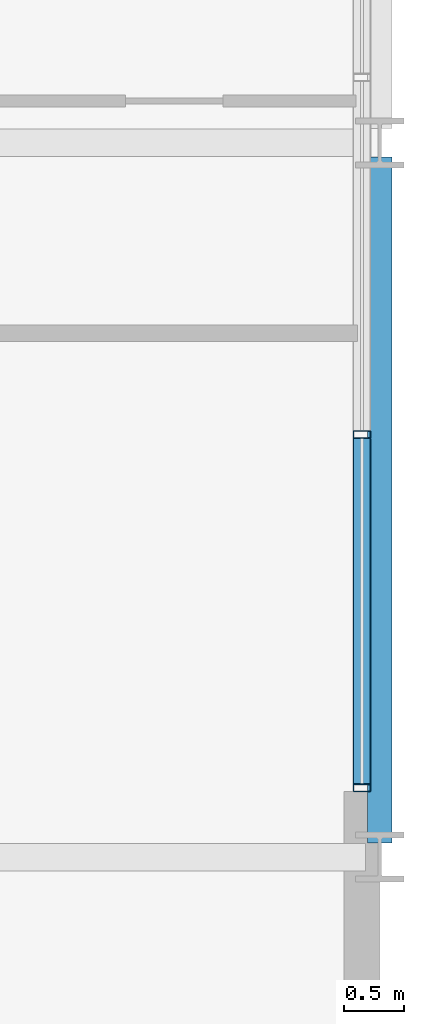
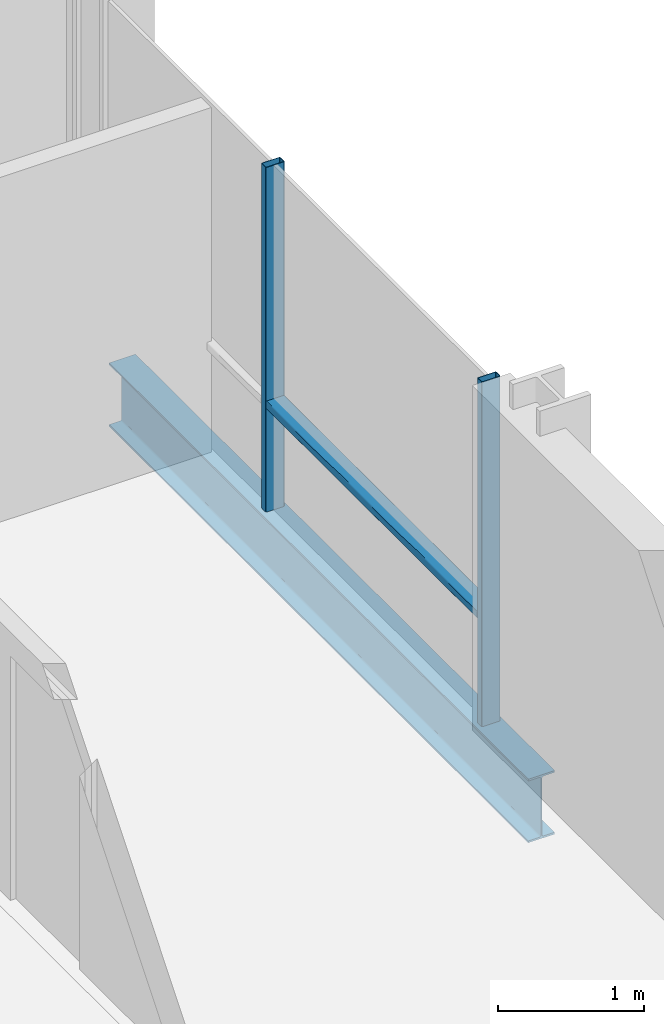
# One storey, part 17 of 41: 3 members, 1 beam, 1 element without a shape of its own.
"""IFC4 building model written with IfcOpenShell, lengths in metres."""

from ifc_helpers import new_model, si_unit, direction, frame, origin, origin_2d, place, context, subcontext, project, spatial, hollow_rectangle, i_section, extrude, material, layer, layer_set, material_profile, profile_set, type_object, element, aggregate, save


model = new_model("IFC4")

# Units and contexts
model_context = context("Model", 3, precision=1e-05, world=origin(), true_north=direction((0.0, 1.0)))
body_context = subcontext(model_context, "Body", "Model", "MODEL_VIEW")
ifc_project = project(units=[si_unit("LENGTHUNIT", "METRE"), si_unit("AREAUNIT", "SQUARE_METRE"), si_unit("VOLUMEUNIT", "CUBIC_METRE"), si_unit("PLANEANGLEUNIT", "RADIAN"), si_unit("MASSUNIT", "GRAM", prefix="KILO")], contexts=[model_context])

# Site, building, storey
site_placement = place(None, origin())
site = spatial("IfcSite", under=ifc_project, at=site_placement, CompositionType="ELEMENT")
building_placement = place(site_placement, origin())
building = spatial("IfcBuilding", under=site, at=building_placement, Name="Brevholm Reach", CompositionType="ELEMENT")
storey_placement = place(building_placement, frame((0.0, 0.0, 169.699951171875)))
storey = spatial("IfcBuildingStorey", under=building, at=storey_placement, Name="L51", CompositionType="ELEMENT", Elevation=169.699951171875)

# Beam
ifc_material_1 = material(Name="Structural Steel S355J2", Category="steel")
ifc_material_profile_1 = material_profile(ifc_material_1, i_section(OverallWidth=0.209228515625, OverallDepth=0.533203125, WebThickness=0.010009765625, FlangeThickness=0.015625, FilletRadius=0.0126953125, at=origin_2d()), Name="UKB 533x210x92")
ifc_profile_set_1 = profile_set([ifc_material_profile_1], Name="Structural Steel S355J2")
beam_type = type_object("IfcBeamType", Name="BM-SP533", PredefinedType="SPANDREL", material=ifc_profile_set_1)
beam_placement = place(storey_placement, frame((60.0, 10.1201171875, -0.486572265625), z_axis=(0.0, 1.0, 0.0), x_axis=(-1.0, 0.0, 0.0)))
element("IfcBeam", 1, at=beam_placement, inside=storey, type_object=beam_type, Name="L51 SP-02 Framing Beam", PredefinedType="SPANDREL", context=body_context, shape_type="SweptSolid", body=[
    extrude(i_section(OverallWidth=0.209228515625, OverallDepth=0.533203125, WebThickness=0.010009765625, FlangeThickness=0.015625, FilletRadius=0.0126953125, at=origin_2d()), origin(), (0.0, 0.0, 1.0), 5.759765625),
])

# Curtain wall, members
ifc_material_2 = material(Name="Dark Anodised Aluminium 6063-T6 and Solar-Control Glass", Category="aluminium")
ifc_layer = layer(ifc_material_2, 0.14990234375)
ifc_layer_set = layer_set([ifc_layer], Name="Dark Anodised Aluminium 6063-T6 and Solar-Control Glass")
curtain_wall_type = type_object("IfcCurtainWallType", Name="CW-01", PredefinedType="NOTDEFINED", material=ifc_layer_set)
curtain_wall_placement = place(storey_placement, origin())
curtain_wall = element("IfcCurtainWall", 2, at=curtain_wall_placement, inside=storey, type_object=curtain_wall_type, Name="L51 Curtain Wall CW-01", PredefinedType="NOTDEFINED")
ifc_material_3 = material(Name="Dark Anodised Aluminium 6063-T6", Category="aluminium")
ifc_material_profile_2 = material_profile(ifc_material_3, hollow_rectangle(XDim=0.06494140625, YDim=0.14990234375, WallThickness=0.0048828125, InnerFilletRadius=0.0048828125, OuterFilletRadius=0.010009765625, at=origin_2d()), Name="RHS 150x65x5")
ifc_profile_set_2 = profile_set([ifc_material_profile_2], Name="Dark Anodised Aluminium 6063-T6")
member_type_1 = type_object("IfcMemberType", Name="CWM-150", PredefinedType="MULLION", material=ifc_profile_set_2)
member_1_placement = place(storey_placement, frame((59.85009765625, 10.58251953125, 0.0), z_axis=(0.0, 0.0, 1.0), x_axis=(0.0, 1.0, 0.0)))
member_1 = element("IfcMember", 3, at=member_1_placement, type_object=member_type_1, Name="CM-150 Mullion 1", PredefinedType="MULLION", context=body_context, shape_type="SweptSolid", body=[
    extrude(hollow_rectangle(XDim=0.06494140625, YDim=0.14990234375, WallThickness=0.0048828125, InnerFilletRadius=0.0048828125, OuterFilletRadius=0.010009765625, at=origin_2d()), origin(), (0.0, 0.0, 1.0), 2.89013671875),
])
member_2_placement = place(storey_placement, frame((59.85009765625, 13.550048828125, 0.0), z_axis=(0.0, 0.0, 1.0), x_axis=(0.0, 1.0, 0.0)))
member_2 = element("IfcMember", 4, at=member_2_placement, type_object=member_type_1, Name="CM-150 Mullion 2", PredefinedType="MULLION", context=body_context, shape_type="SweptSolid", body=[
    extrude(hollow_rectangle(XDim=0.06494140625, YDim=0.14990234375, WallThickness=0.0048828125, InnerFilletRadius=0.0048828125, OuterFilletRadius=0.010009765625, at=origin_2d()), origin(), (0.0, 0.0, 1.0), 2.89013671875),
])
ifc_material_4 = material(Name="Dark Anodised Aluminium 6063-T6", Category="aluminium")
ifc_material_profile_3 = material_profile(ifc_material_4, hollow_rectangle(XDim=0.06494140625, YDim=0.14990234375, WallThickness=0.0048828125, InnerFilletRadius=0.0048828125, OuterFilletRadius=0.010009765625, at=origin_2d()), Name="RHS 150x65x5")
ifc_profile_set_3 = profile_set([ifc_material_profile_3], Name="Dark Anodised Aluminium 6063-T6")
member_type_2 = type_object("IfcMemberType", Name="CWT-150", PredefinedType="NOTDEFINED", material=ifc_profile_set_3)
member_3_placement = place(storey_placement, frame((59.85009765625, 10.614990234375, 0.900146484375), z_axis=(0.0, 1.0, 0.0), x_axis=(0.0, 0.0, 1.0)))
member_3 = element("IfcMember", 5, at=member_3_placement, type_object=member_type_2, Name="CT-150 Transom 1.1", ObjectType="TRANSOM", PredefinedType="USERDEFINED", context=body_context, shape_type="SweptSolid", body=[
    extrude(hollow_rectangle(XDim=0.06494140625, YDim=0.14990234375, WallThickness=0.0048828125, InnerFilletRadius=0.0048828125, OuterFilletRadius=0.010009765625, at=origin_2d()), origin(), (0.0, 0.0, 1.0), 2.902587890625),
])
aggregate(curtain_wall, [member_1, member_2, member_3])

save(model, "model.ifc")
